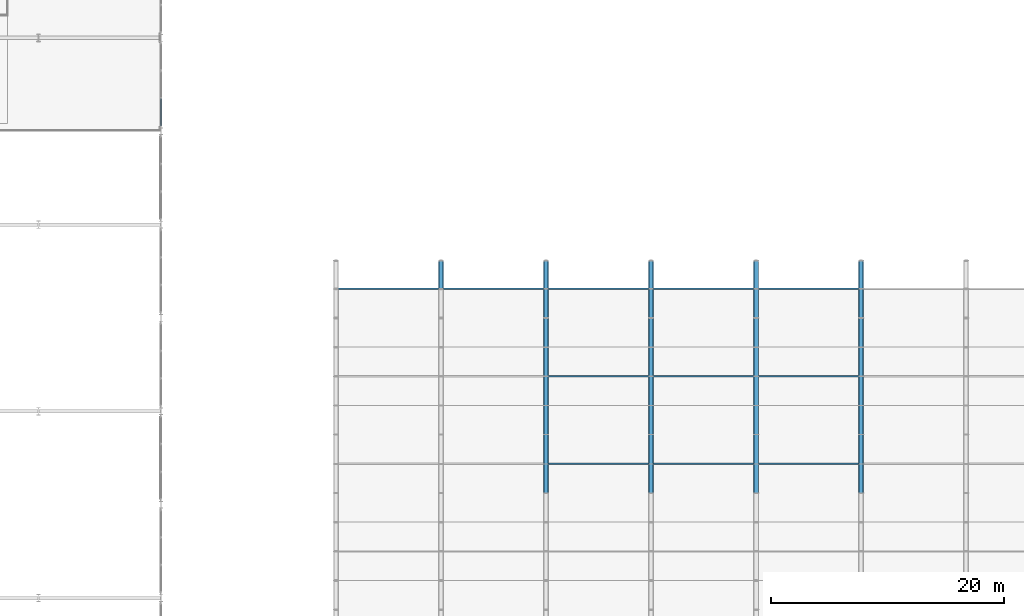
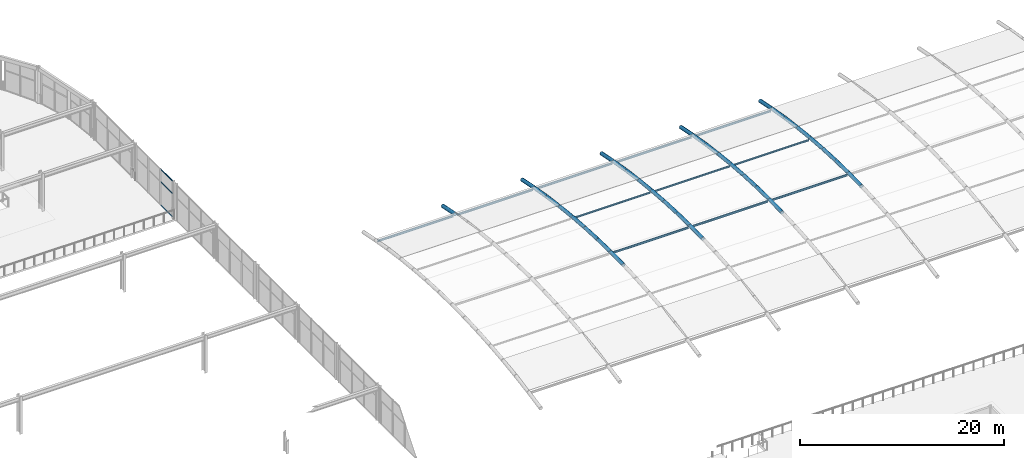
# One storey, part 46 of 105: 47 members, 1 element without a shape of its own.
"""IFC4 building model written with IfcOpenShell, lengths in metres."""

from ifc_helpers import new_model, si_unit, direction, frame, origin, origin_2d, place, context, subcontext, project, spatial, hollow_rectangle, hollow_circle, i_section, extrude, material, layer, layer_set, material_profile, profile_set, type_object, element, aggregate, save


model = new_model("IFC4")

# Units and contexts
model_context = context("Model", 3, precision=1e-05, world=origin(), true_north=direction((0.0, 1.0)))
body_context = subcontext(model_context, "Body", "Model", "MODEL_VIEW")
ifc_project = project(units=[si_unit("LENGTHUNIT", "METRE"), si_unit("AREAUNIT", "SQUARE_METRE"), si_unit("VOLUMEUNIT", "CUBIC_METRE"), si_unit("PLANEANGLEUNIT", "RADIAN"), si_unit("MASSUNIT", "GRAM", prefix="KILO")], contexts=[model_context])

# Site, building, storey
site_placement = place(None, origin())
site = spatial("IfcSite", under=ifc_project, at=site_placement, CompositionType="ELEMENT")
building_placement = place(site_placement, origin())
building = spatial("IfcBuilding", under=site, at=building_placement, Name="Marlcrest Central Station", CompositionType="ELEMENT")
storey_placement = place(building_placement, frame((0.0, 0.0, 15.0)))
storey = spatial("IfcBuildingStorey", under=building, at=storey_placement, Name="L03", CompositionType="ELEMENT", Elevation=15.0)

# Members
ifc_material_1 = material(Name="Steel S355", Category="steel")
ifc_material_profile_1 = material_profile(ifc_material_1, hollow_circle(Radius=0.203125, WallThickness=0.02001953125, at=origin_2d()), Name="CHS 406.4x20")
ifc_profile_set_1 = profile_set([ifc_material_profile_1], Name="Steel S355")
member_type_1 = type_object("IfcMemberType", Name="AC-01", PredefinedType="CHORD", material=ifc_profile_set_1)
member_1_placement = place(storey_placement, frame((153.0, 81.0, 0.40380859375), z_axis=(0.0, 0.980359417961, -0.197219196874), x_axis=(-1.0, 0.0, 0.0)))
element("IfcMember", 1, at=member_1_placement, inside=storey, type_object=member_type_1, Name="mem-AC-01-L03-01280", PredefinedType="CHORD", context=body_context, shape_type="SweptSolid", body=[
    extrude(hollow_circle(Radius=0.203125, WallThickness=0.02001953125, at=origin_2d()), origin(), (0.0, 0.0, 1.0), 2.468505859375),
])
for number, where, z_axis, x_axis, name in (
    (2, (162.0, 63.5, 1.76123046875), (0.0, 0.999879472592, 0.01552547228), (-1.0, 0.0, 0.0), "mem-AC-01-L03-01368"),
    (3, (162.0, 66.0, 1.800048828125), (0.0, 0.999879472592, -0.01552547228), (-1.0, 0.0, 0.0), "mem-AC-01-L03-01372"),
):
    element("IfcMember", number, at=place(storey_placement, frame(where, z_axis=z_axis, x_axis=x_axis)), inside=storey, type_object=member_type_1, Name=name, PredefinedType="CHORD", context=body_context, shape_type="SweptSolid", body=[
        extrude(hollow_circle(Radius=0.203125, WallThickness=0.02001953125, at=origin_2d()), origin(), (0.0, 0.0, 1.0), 2.500244140625),
    ])
member_2_placement = place(storey_placement, frame((162.0, 68.5, 1.76123046875), z_axis=(0.0, 0.998921349185, -0.046434234591), x_axis=(-1.0, 0.0, 0.0)))
element("IfcMember", 4, at=member_2_placement, inside=storey, type_object=member_type_1, Name="mem-AC-01-L03-01376", PredefinedType="CHORD", context=body_context, shape_type="SweptSolid", body=[
    extrude(hollow_circle(Radius=0.203125, WallThickness=0.02001953125, at=origin_2d()), origin(), (0.0, 0.0, 1.0), 2.502685546875),
])
member_3_placement = place(storey_placement, frame((162.0, 71.0, 1.64501953125), z_axis=(0.0, 0.996999825732, -0.077403795064), x_axis=(-1.0, 0.0, 0.0)))
element("IfcMember", 5, at=member_3_placement, inside=storey, type_object=member_type_1, Name="mem-AC-01-L03-01380", PredefinedType="CHORD", context=body_context, shape_type="SweptSolid", body=[
    extrude(hollow_circle(Radius=0.203125, WallThickness=0.02001953125, at=origin_2d()), origin(), (0.0, 0.0, 1.0), 2.507568359375),
])
member_4_placement = place(storey_placement, frame((162.0, 73.5, 1.450927734375), z_axis=(0.0, 0.994155341034, -0.107959056565), x_axis=(-1.0, 0.0, 0.0)))
element("IfcMember", 6, at=member_4_placement, inside=storey, type_object=member_type_1, Name="mem-AC-01-L03-01384", PredefinedType="CHORD", context=body_context, shape_type="SweptSolid", body=[
    extrude(hollow_circle(Radius=0.203125, WallThickness=0.02001953125, at=origin_2d()), origin(), (0.0, 0.0, 1.0), 2.5146484375),
])
member_5_placement = place(storey_placement, frame((162.0, 76.0, 1.179443359375), z_axis=(0.0, 0.990402740232, -0.138211476152), x_axis=(-1.0, 0.0, 0.0)))
element("IfcMember", 7, at=member_5_placement, inside=storey, type_object=member_type_1, Name="mem-AC-01-L03-01388", PredefinedType="CHORD", context=body_context, shape_type="SweptSolid", body=[
    extrude(hollow_circle(Radius=0.203125, WallThickness=0.02001953125, at=origin_2d()), origin(), (0.0, 0.0, 1.0), 2.524169921875),
])
member_6_placement = place(storey_placement, frame((162.0, 78.5, 0.83056640625), z_axis=(0.0, 0.98574109921, -0.168269086076), x_axis=(-1.0, 0.0, 0.0)))
element("IfcMember", 8, at=member_6_placement, inside=storey, type_object=member_type_1, Name="mem-AC-01-L03-01392", PredefinedType="CHORD", context=body_context, shape_type="SweptSolid", body=[
    extrude(hollow_circle(Radius=0.203125, WallThickness=0.02001953125, at=origin_2d()), origin(), (0.0, 0.0, 1.0), 2.5361328125),
])
member_7_placement = place(storey_placement, frame((162.0, 81.0, 0.40380859375), z_axis=(0.0, 0.980359417961, -0.197219196874), x_axis=(-1.0, 0.0, 0.0)))
element("IfcMember", 9, at=member_7_placement, inside=storey, type_object=member_type_1, Name="mem-AC-01-L03-01396", PredefinedType="CHORD", context=body_context, shape_type="SweptSolid", body=[
    extrude(hollow_circle(Radius=0.203125, WallThickness=0.02001953125, at=origin_2d()), origin(), (0.0, 0.0, 1.0), 2.468505859375),
])
for number, where, z_axis, x_axis, name in (
    (10, (171.0, 63.5, 1.76123046875), (0.0, 0.999879472592, 0.01552547228), (-1.0, 0.0, 0.0), "mem-AC-01-L03-01484"),
    (11, (171.0, 66.0, 1.800048828125), (0.0, 0.999879472592, -0.01552547228), (-1.0, 0.0, 0.0), "mem-AC-01-L03-01488"),
):
    element("IfcMember", number, at=place(storey_placement, frame(where, z_axis=z_axis, x_axis=x_axis)), inside=storey, type_object=member_type_1, Name=name, PredefinedType="CHORD", context=body_context, shape_type="SweptSolid", body=[
        extrude(hollow_circle(Radius=0.203125, WallThickness=0.02001953125, at=origin_2d()), origin(), (0.0, 0.0, 1.0), 2.500244140625),
    ])
member_8_placement = place(storey_placement, frame((171.0, 68.5, 1.76123046875), z_axis=(0.0, 0.998921349185, -0.046434234591), x_axis=(-1.0, 0.0, 0.0)))
element("IfcMember", 12, at=member_8_placement, inside=storey, type_object=member_type_1, Name="mem-AC-01-L03-01492", PredefinedType="CHORD", context=body_context, shape_type="SweptSolid", body=[
    extrude(hollow_circle(Radius=0.203125, WallThickness=0.02001953125, at=origin_2d()), origin(), (0.0, 0.0, 1.0), 2.502685546875),
])
member_9_placement = place(storey_placement, frame((171.0, 71.0, 1.64501953125), z_axis=(0.0, 0.996999825732, -0.077403795064), x_axis=(-1.0, 0.0, 0.0)))
element("IfcMember", 13, at=member_9_placement, inside=storey, type_object=member_type_1, Name="mem-AC-01-L03-01496", PredefinedType="CHORD", context=body_context, shape_type="SweptSolid", body=[
    extrude(hollow_circle(Radius=0.203125, WallThickness=0.02001953125, at=origin_2d()), origin(), (0.0, 0.0, 1.0), 2.507568359375),
])
member_10_placement = place(storey_placement, frame((171.0, 73.5, 1.450927734375), z_axis=(0.0, 0.994155341034, -0.107959056565), x_axis=(-1.0, 0.0, 0.0)))
element("IfcMember", 14, at=member_10_placement, inside=storey, type_object=member_type_1, Name="mem-AC-01-L03-01500", PredefinedType="CHORD", context=body_context, shape_type="SweptSolid", body=[
    extrude(hollow_circle(Radius=0.203125, WallThickness=0.02001953125, at=origin_2d()), origin(), (0.0, 0.0, 1.0), 2.5146484375),
])
member_11_placement = place(storey_placement, frame((171.0, 76.0, 1.179443359375), z_axis=(0.0, 0.990402740232, -0.138211476152), x_axis=(-1.0, 0.0, 0.0)))
element("IfcMember", 15, at=member_11_placement, inside=storey, type_object=member_type_1, Name="mem-AC-01-L03-01504", PredefinedType="CHORD", context=body_context, shape_type="SweptSolid", body=[
    extrude(hollow_circle(Radius=0.203125, WallThickness=0.02001953125, at=origin_2d()), origin(), (0.0, 0.0, 1.0), 2.524169921875),
])
member_12_placement = place(storey_placement, frame((171.0, 78.5, 0.83056640625), z_axis=(0.0, 0.98574109921, -0.168269086076), x_axis=(-1.0, 0.0, 0.0)))
element("IfcMember", 16, at=member_12_placement, inside=storey, type_object=member_type_1, Name="mem-AC-01-L03-01508", PredefinedType="CHORD", context=body_context, shape_type="SweptSolid", body=[
    extrude(hollow_circle(Radius=0.203125, WallThickness=0.02001953125, at=origin_2d()), origin(), (0.0, 0.0, 1.0), 2.5361328125),
])
member_13_placement = place(storey_placement, frame((171.0, 81.0, 0.40380859375), z_axis=(0.0, 0.980359417961, -0.197219196874), x_axis=(-1.0, 0.0, 0.0)))
element("IfcMember", 17, at=member_13_placement, inside=storey, type_object=member_type_1, Name="mem-AC-01-L03-01512", PredefinedType="CHORD", context=body_context, shape_type="SweptSolid", body=[
    extrude(hollow_circle(Radius=0.203125, WallThickness=0.02001953125, at=origin_2d()), origin(), (0.0, 0.0, 1.0), 2.468505859375),
])
for number, where, z_axis, x_axis, name in (
    (18, (180.0, 63.5, 1.76123046875), (0.0, 0.999879472592, 0.01552547228), (-1.0, 0.0, 0.0), "mem-AC-01-L03-01600"),
    (19, (180.0, 66.0, 1.800048828125), (0.0, 0.999879472592, -0.01552547228), (-1.0, 0.0, 0.0), "mem-AC-01-L03-01604"),
):
    element("IfcMember", number, at=place(storey_placement, frame(where, z_axis=z_axis, x_axis=x_axis)), inside=storey, type_object=member_type_1, Name=name, PredefinedType="CHORD", context=body_context, shape_type="SweptSolid", body=[
        extrude(hollow_circle(Radius=0.203125, WallThickness=0.02001953125, at=origin_2d()), origin(), (0.0, 0.0, 1.0), 2.500244140625),
    ])
member_14_placement = place(storey_placement, frame((180.0, 68.5, 1.76123046875), z_axis=(0.0, 0.998921349185, -0.046434234591), x_axis=(-1.0, 0.0, 0.0)))
element("IfcMember", 20, at=member_14_placement, inside=storey, type_object=member_type_1, Name="mem-AC-01-L03-01608", PredefinedType="CHORD", context=body_context, shape_type="SweptSolid", body=[
    extrude(hollow_circle(Radius=0.203125, WallThickness=0.02001953125, at=origin_2d()), origin(), (0.0, 0.0, 1.0), 2.502685546875),
])
member_15_placement = place(storey_placement, frame((180.0, 71.0, 1.64501953125), z_axis=(0.0, 0.996999825732, -0.077403795064), x_axis=(-1.0, 0.0, 0.0)))
element("IfcMember", 21, at=member_15_placement, inside=storey, type_object=member_type_1, Name="mem-AC-01-L03-01612", PredefinedType="CHORD", context=body_context, shape_type="SweptSolid", body=[
    extrude(hollow_circle(Radius=0.203125, WallThickness=0.02001953125, at=origin_2d()), origin(), (0.0, 0.0, 1.0), 2.507568359375),
])
member_16_placement = place(storey_placement, frame((180.0, 73.5, 1.450927734375), z_axis=(0.0, 0.994155341034, -0.107959056565), x_axis=(-1.0, 0.0, 0.0)))
element("IfcMember", 22, at=member_16_placement, inside=storey, type_object=member_type_1, Name="mem-AC-01-L03-01616", PredefinedType="CHORD", context=body_context, shape_type="SweptSolid", body=[
    extrude(hollow_circle(Radius=0.203125, WallThickness=0.02001953125, at=origin_2d()), origin(), (0.0, 0.0, 1.0), 2.5146484375),
])
member_17_placement = place(storey_placement, frame((180.0, 76.0, 1.179443359375), z_axis=(0.0, 0.990402740232, -0.138211476152), x_axis=(-1.0, 0.0, 0.0)))
element("IfcMember", 23, at=member_17_placement, inside=storey, type_object=member_type_1, Name="mem-AC-01-L03-01620", PredefinedType="CHORD", context=body_context, shape_type="SweptSolid", body=[
    extrude(hollow_circle(Radius=0.203125, WallThickness=0.02001953125, at=origin_2d()), origin(), (0.0, 0.0, 1.0), 2.524169921875),
])
member_18_placement = place(storey_placement, frame((180.0, 78.5, 0.83056640625), z_axis=(0.0, 0.98574109921, -0.168269086076), x_axis=(-1.0, 0.0, 0.0)))
element("IfcMember", 24, at=member_18_placement, inside=storey, type_object=member_type_1, Name="mem-AC-01-L03-01624", PredefinedType="CHORD", context=body_context, shape_type="SweptSolid", body=[
    extrude(hollow_circle(Radius=0.203125, WallThickness=0.02001953125, at=origin_2d()), origin(), (0.0, 0.0, 1.0), 2.5361328125),
])
member_19_placement = place(storey_placement, frame((180.0, 81.0, 0.40380859375), z_axis=(0.0, 0.980359417961, -0.197219196874), x_axis=(-1.0, 0.0, 0.0)))
element("IfcMember", 25, at=member_19_placement, inside=storey, type_object=member_type_1, Name="mem-AC-01-L03-01628", PredefinedType="CHORD", context=body_context, shape_type="SweptSolid", body=[
    extrude(hollow_circle(Radius=0.203125, WallThickness=0.02001953125, at=origin_2d()), origin(), (0.0, 0.0, 1.0), 2.468505859375),
])
for number, where, z_axis, x_axis, name in (
    (26, (189.0, 63.5, 1.76123046875), (0.0, 0.999879472592, 0.01552547228), (-1.0, 0.0, 0.0), "mem-AC-01-L03-01716"),
    (27, (189.0, 66.0, 1.800048828125), (0.0, 0.999879472592, -0.01552547228), (-1.0, 0.0, 0.0), "mem-AC-01-L03-01720"),
):
    element("IfcMember", number, at=place(storey_placement, frame(where, z_axis=z_axis, x_axis=x_axis)), inside=storey, type_object=member_type_1, Name=name, PredefinedType="CHORD", context=body_context, shape_type="SweptSolid", body=[
        extrude(hollow_circle(Radius=0.203125, WallThickness=0.02001953125, at=origin_2d()), origin(), (0.0, 0.0, 1.0), 2.500244140625),
    ])
member_20_placement = place(storey_placement, frame((189.0, 68.5, 1.76123046875), z_axis=(0.0, 0.998921349185, -0.046434234591), x_axis=(-1.0, 0.0, 0.0)))
element("IfcMember", 28, at=member_20_placement, inside=storey, type_object=member_type_1, Name="mem-AC-01-L03-01724", PredefinedType="CHORD", context=body_context, shape_type="SweptSolid", body=[
    extrude(hollow_circle(Radius=0.203125, WallThickness=0.02001953125, at=origin_2d()), origin(), (0.0, 0.0, 1.0), 2.502685546875),
])
member_21_placement = place(storey_placement, frame((189.0, 71.0, 1.64501953125), z_axis=(0.0, 0.996999825732, -0.077403795064), x_axis=(-1.0, 0.0, 0.0)))
element("IfcMember", 29, at=member_21_placement, inside=storey, type_object=member_type_1, Name="mem-AC-01-L03-01728", PredefinedType="CHORD", context=body_context, shape_type="SweptSolid", body=[
    extrude(hollow_circle(Radius=0.203125, WallThickness=0.02001953125, at=origin_2d()), origin(), (0.0, 0.0, 1.0), 2.507568359375),
])
member_22_placement = place(storey_placement, frame((189.0, 73.5, 1.450927734375), z_axis=(0.0, 0.994155341034, -0.107959056565), x_axis=(-1.0, 0.0, 0.0)))
element("IfcMember", 30, at=member_22_placement, inside=storey, type_object=member_type_1, Name="mem-AC-01-L03-01732", PredefinedType="CHORD", context=body_context, shape_type="SweptSolid", body=[
    extrude(hollow_circle(Radius=0.203125, WallThickness=0.02001953125, at=origin_2d()), origin(), (0.0, 0.0, 1.0), 2.5146484375),
])
member_23_placement = place(storey_placement, frame((189.0, 76.0, 1.179443359375), z_axis=(0.0, 0.990402740232, -0.138211476152), x_axis=(-1.0, 0.0, 0.0)))
element("IfcMember", 31, at=member_23_placement, inside=storey, type_object=member_type_1, Name="mem-AC-01-L03-01736", PredefinedType="CHORD", context=body_context, shape_type="SweptSolid", body=[
    extrude(hollow_circle(Radius=0.203125, WallThickness=0.02001953125, at=origin_2d()), origin(), (0.0, 0.0, 1.0), 2.524169921875),
])
member_24_placement = place(storey_placement, frame((189.0, 78.5, 0.83056640625), z_axis=(0.0, 0.98574109921, -0.168269086076), x_axis=(-1.0, 0.0, 0.0)))
element("IfcMember", 32, at=member_24_placement, inside=storey, type_object=member_type_1, Name="mem-AC-01-L03-01740", PredefinedType="CHORD", context=body_context, shape_type="SweptSolid", body=[
    extrude(hollow_circle(Radius=0.203125, WallThickness=0.02001953125, at=origin_2d()), origin(), (0.0, 0.0, 1.0), 2.5361328125),
])
member_25_placement = place(storey_placement, frame((189.0, 81.0, 0.40380859375), z_axis=(0.0, 0.980359417961, -0.197219196874), x_axis=(-1.0, 0.0, 0.0)))
element("IfcMember", 33, at=member_25_placement, inside=storey, type_object=member_type_1, Name="mem-AC-01-L03-01744", PredefinedType="CHORD", context=body_context, shape_type="SweptSolid", body=[
    extrude(hollow_circle(Radius=0.203125, WallThickness=0.02001953125, at=origin_2d()), origin(), (0.0, 0.0, 1.0), 2.468505859375),
])
ifc_material_profile_2 = material_profile(ifc_material_1, i_section(OverallWidth=0.10009765625, OverallDepth=0.199951171875, WebThickness=0.005615234375, FlangeThickness=0.008544921875, FilletRadius=0.011962890625, at=origin_2d()), Name="IPE 200")
ifc_profile_set_2 = profile_set([ifc_material_profile_2], Name="Steel S355")
member_type_2 = type_object("IfcMemberType", Name="PR-01", PredefinedType="PURLIN", material=ifc_profile_set_2)
for number, where, z_axis, x_axis, name in (
    (34, (162.179931640625, 73.5, 1.31103515625), (1.0, 0.0, 0.0), (0.0, 1.0, 0.0), "mem-PR-01-L03-01431"),
    (35, (171.179931640625, 73.5, 1.31103515625), (1.0, 0.0, 0.0), (0.0, 1.0, 0.0), "mem-PR-01-L03-01547"),
    (36, (180.179931640625, 73.5, 1.31103515625), (1.0, 0.0, 0.0), (0.0, 1.0, 0.0), "mem-PR-01-L03-01663"),
):
    element("IfcMember", number, at=place(storey_placement, frame(where, z_axis=z_axis, x_axis=x_axis)), inside=storey, type_object=member_type_2, Name=name, PredefinedType="PURLIN", context=body_context, shape_type="SweptSolid", body=[
        extrude(i_section(OverallWidth=0.10009765625, OverallDepth=0.199951171875, WebThickness=0.005615234375, FlangeThickness=0.008544921875, FilletRadius=0.011962890625, at=origin_2d()), origin(), (0.0, 0.0, 1.0), 8.64013671875),
    ])
ifc_material_profile_3 = material_profile(ifc_material_1, i_section(OverallWidth=0.1201171875, OverallDepth=0.239990234375, WebThickness=0.006103515625, FlangeThickness=0.009765625, FilletRadius=0.014892578125, at=origin_2d()), Name="IPE 240")
ifc_profile_set_3 = profile_set([ifc_material_profile_3], Name="Steel S355")
member_type_3 = type_object("IfcMemberType", Name="PR-02", PredefinedType="PURLIN", material=ifc_profile_set_3)
for number, where, z_axis, x_axis, name in (
    (37, (144.179931640625, 81.0, 0.263916015625), (1.0, 0.0, 0.0), (0.0, 1.0, 0.0), "mem-PR-02-L03-01200"),
    (38, (153.179931640625, 81.0, 0.263916015625), (1.0, 0.0, 0.0), (0.0, 1.0, 0.0), "mem-PR-02-L03-01316"),
    (39, (162.179931640625, 66.0, 1.659912109375), (1.0, 0.0, 0.0), (0.0, 1.0, 0.0), "mem-PR-02-L03-01430"),
    (40, (162.179931640625, 81.0, 0.263916015625), (1.0, 0.0, 0.0), (0.0, 1.0, 0.0), "mem-PR-02-L03-01432"),
    (41, (171.179931640625, 66.0, 1.659912109375), (1.0, 0.0, 0.0), (0.0, 1.0, 0.0), "mem-PR-02-L03-01546"),
    (42, (171.179931640625, 81.0, 0.263916015625), (1.0, 0.0, 0.0), (0.0, 1.0, 0.0), "mem-PR-02-L03-01548"),
    (43, (180.179931640625, 66.0, 1.659912109375), (1.0, 0.0, 0.0), (0.0, 1.0, 0.0), "mem-PR-02-L03-01662"),
    (44, (180.179931640625, 81.0, 0.263916015625), (1.0, 0.0, 0.0), (0.0, 1.0, 0.0), "mem-PR-02-L03-01664"),
):
    element("IfcMember", number, at=place(storey_placement, frame(where, z_axis=z_axis, x_axis=x_axis)), inside=storey, type_object=member_type_3, Name=name, PredefinedType="PURLIN", context=body_context, shape_type="SweptSolid", body=[
        extrude(i_section(OverallWidth=0.1201171875, OverallDepth=0.239990234375, WebThickness=0.006103515625, FlangeThickness=0.009765625, FilletRadius=0.014892578125, at=origin_2d()), origin(), (0.0, 0.0, 1.0), 8.64013671875),
    ])

# Curtain wall, members
ifc_material_2 = material(Name="Anodised aluminium and hurricane laminated glass", Category="aluminium")
ifc_layer = layer(ifc_material_2, 0.219970703125, Name="CW-U1")
ifc_layer_set = layer_set([ifc_layer], Name="Anodised aluminium and hurricane laminated glass")
curtain_wall_type = type_object("IfcCurtainWallType", Name="CW-U1", PredefinedType="USERDEFINED", material=ifc_layer_set)
curtain_wall_placement = place(storey_placement, origin())
curtain_wall = element("IfcCurtainWall", 45, at=curtain_wall_placement, inside=storey, type_object=curtain_wall_type, Name="cw-L03-0138", ObjectType="UNITISED_CURTAIN_WALL", PredefinedType="USERDEFINED")
ifc_material_3 = material(Name="Anodised aluminium 6063-T6", Category="aluminium")
ifc_material_profile_4 = material_profile(ifc_material_3, hollow_rectangle(XDim=0.06005859375, YDim=0.14990234375, WallThickness=0.00390625, at=origin_2d()), Name="AA-RHS 150x60x4")
ifc_profile_set_4 = profile_set([ifc_material_profile_4], Name="Anodised aluminium 6063-T6")
member_type_4 = type_object("IfcMemberType", Name="TR-01", PredefinedType="USERDEFINED", material=ifc_profile_set_4)
member_26_placement = place(storey_placement, frame((129.0, 97.27880859375, 0.0400390625), z_axis=(0.0, -1.0, 0.0), x_axis=(1.0, 0.0, 0.0)))
member_26 = element("IfcMember", 46, at=member_26_placement, type_object=member_type_4, Name="cw-L03-0138-tr-2-sill", ObjectType="TRANSOM", PredefinedType="USERDEFINED", context=body_context, shape_type="SweptSolid", body=[
    extrude(hollow_rectangle(XDim=0.06005859375, YDim=0.14990234375, WallThickness=0.00390625, at=origin_2d()), origin(), (0.0, 0.0, 1.0), 2.290771484375),
])
member_27_placement = place(storey_placement, frame((129.0, 97.27880859375, 2.827880859375), z_axis=(0.0, -1.0, 0.0), x_axis=(1.0, 0.0, 0.0)))
member_27 = element("IfcMember", 47, at=member_27_placement, type_object=member_type_4, Name="cw-L03-0138-tr-2-mid", ObjectType="TRANSOM", PredefinedType="USERDEFINED", context=body_context, shape_type="SweptSolid", body=[
    extrude(hollow_rectangle(XDim=0.06005859375, YDim=0.14990234375, WallThickness=0.00390625, at=origin_2d()), origin(), (0.0, 0.0, 1.0), 2.290771484375),
])
member_28_placement = place(storey_placement, frame((129.0, 97.27880859375, 4.31005859375), z_axis=(0.0, -1.0, 0.0), x_axis=(1.0, 0.0, 0.0)))
member_28 = element("IfcMember", 48, at=member_28_placement, type_object=member_type_4, Name="cw-L03-0138-tr-2-head", ObjectType="TRANSOM", PredefinedType="USERDEFINED", context=body_context, shape_type="SweptSolid", body=[
    extrude(hollow_rectangle(XDim=0.06005859375, YDim=0.14990234375, WallThickness=0.00390625, at=origin_2d()), origin(), (0.0, 0.0, 1.0), 2.290771484375),
])
aggregate(curtain_wall, [member_26, member_27, member_28])

save(model, "model.ifc")
